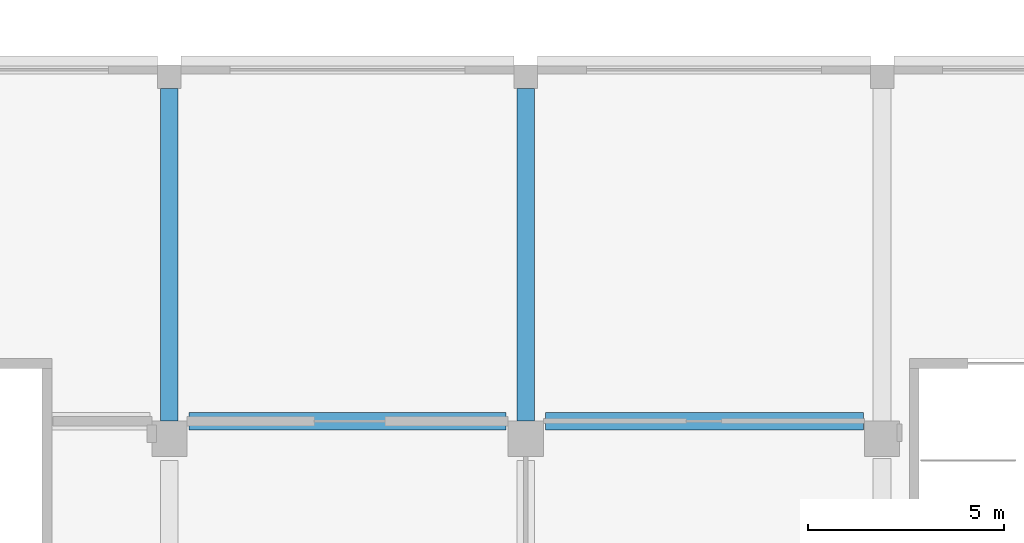
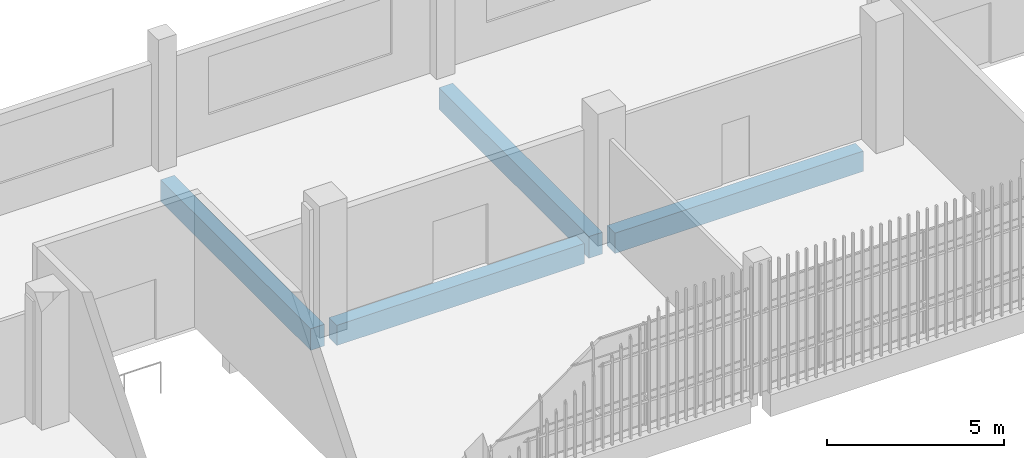
# One storey, part 14 of 104: 4 beams.
"""IFC4 building model written with IfcOpenShell, lengths in metres."""

from ifc_helpers import new_model, si_unit, direction, frame, origin, origin_2d, place, context, subcontext, project, spatial, rectangle, extrude, material, material_profile, profile_set, type_object, element, save


model = new_model("IFC4")

# Units and contexts
model_context = context("Model", 3, precision=1e-05, world=origin(), true_north=direction((0.0, 1.0)))
body_context = subcontext(model_context, "Body", "Model", "MODEL_VIEW")
ifc_project = project(units=[si_unit("LENGTHUNIT", "METRE"), si_unit("AREAUNIT", "SQUARE_METRE"), si_unit("VOLUMEUNIT", "CUBIC_METRE"), si_unit("PLANEANGLEUNIT", "RADIAN"), si_unit("MASSUNIT", "GRAM", prefix="KILO")], contexts=[model_context])

# Site, building, storey
site_placement = place(None, origin())
site = spatial("IfcSite", under=ifc_project, at=site_placement, CompositionType="ELEMENT")
building_placement = place(site_placement, origin())
building = spatial("IfcBuilding", under=site, at=building_placement, Name="Shirokan Park Arena", CompositionType="ELEMENT")
storey_placement = place(building_placement, frame((0.0, 0.0, 10.919921875)))
storey = spatial("IfcBuildingStorey", under=building, at=storey_placement, Name="L02", CompositionType="ELEMENT", Elevation=10.919921875)

# Beams
ifc_material = material(Name="Concrete C35", Category="concrete")
ifc_material_profile_1 = material_profile(ifc_material, rectangle(XDim=0.449951171875, YDim=0.699951171875, at=origin_2d()), Name="450x700")
ifc_profile_set_1 = profile_set([ifc_material_profile_1], Name="Concrete C35")
beam_type_1 = type_object("IfcBeamType", Name="RC girder 450x700", PredefinedType="BEAM", material=ifc_profile_set_1)
beam_1_placement = place(storey_placement, frame((64.2001953125, 9.10009765625, -0.64990234375), z_axis=(1.0, 0.0, 0.0), x_axis=(0.0, 1.0, 0.0)))
element("IfcBeam", 1, at=beam_1_placement, inside=storey, type_object=beam_type_1, Name="Girder 8B-9B L02", PredefinedType="BEAM", context=body_context, shape_type="SweptSolid", body=[
    extrude(rectangle(XDim=0.449951171875, YDim=0.699951171875, at=origin_2d()), origin(), (0.0, 0.0, 1.0), 8.099609375),
])
beam_2_placement = place(storey_placement, frame((73.300048828125, 9.10009765625, -0.64990234375), z_axis=(1.0, 0.0, 0.0), x_axis=(0.0, 1.0, 0.0)))
element("IfcBeam", 2, at=beam_2_placement, inside=storey, type_object=beam_type_1, Name="Girder 9B-10B L02", PredefinedType="BEAM", context=body_context, shape_type="SweptSolid", body=[
    extrude(rectangle(XDim=0.449951171875, YDim=0.699951171875, at=origin_2d()), origin(), (0.0, 0.0, 1.0), 8.124755859375),
])
ifc_material_profile_2 = material_profile(ifc_material, rectangle(XDim=0.449951171875, YDim=0.75, at=origin_2d()), Name="450x750")
ifc_profile_set_2 = profile_set([ifc_material_profile_2], Name="Concrete C35")
beam_type_2 = type_object("IfcBeamType", Name="RC girder 450x750", PredefinedType="BEAM", material=ifc_profile_set_2)
for number, where, z_axis, x_axis, name in (
    (3, (63.699951171875, 9.10009765625, -0.6748046875), (0.0, 1.0, 0.0), (-1.0, 0.0, 0.0), "Girder 8B-8C L02"),
    (4, (72.800048828125, 9.10009765625, -0.6748046875), (0.0, 1.0, 0.0), (-1.0, 0.0, 0.0), "Girder 9B-9C L02"),
):
    element("IfcBeam", number, at=place(storey_placement, frame(where, z_axis=z_axis, x_axis=x_axis)), inside=storey, type_object=beam_type_2, Name=name, PredefinedType="BEAM", context=body_context, shape_type="SweptSolid", body=[
        extrude(rectangle(XDim=0.449951171875, YDim=0.75, at=origin_2d()), origin(), (0.0, 0.0, 1.0), 8.499755859375),
    ])

save(model, "model.ifc")
